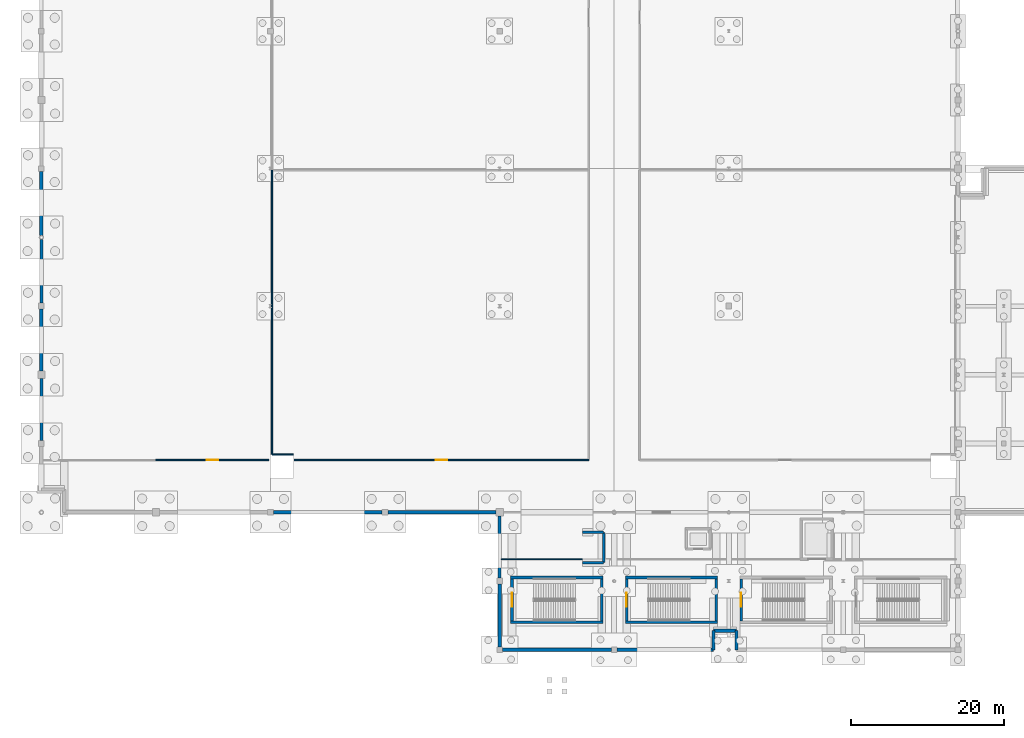
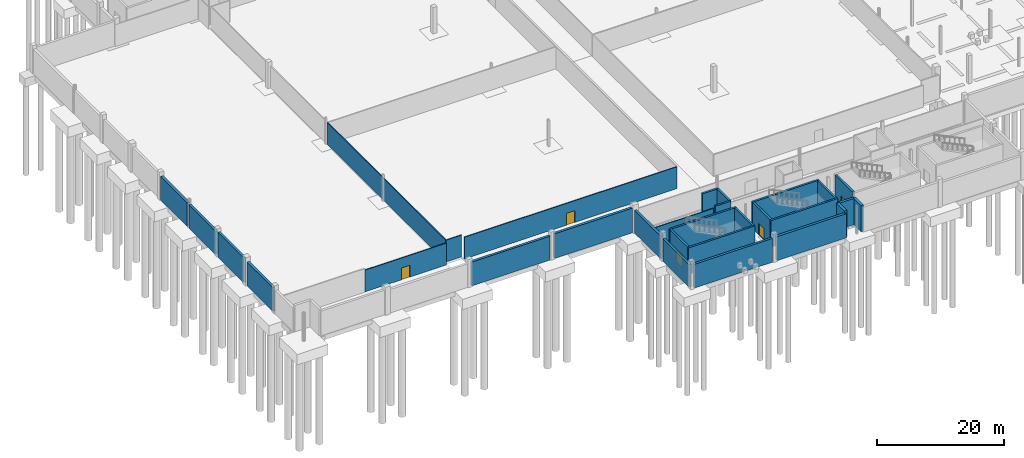
# One storey, part 38 of 58: 30 walls, 5 doors, 5 openings.
"""IFC4 building model written with IfcOpenShell, lengths in metres."""

from ifc_helpers import new_model, si_unit, direction, frame, frame_2d, origin, place, context, subcontext, project, spatial, rectangle, extrude, material, layer, layer_set, type_object, element, fill, save


model = new_model("IFC4")

# Units and contexts
model_context = context("Model", 3, precision=1e-05, world=origin(), true_north=direction((0.0, 1.0)))
body_context = subcontext(model_context, "Body", "Model", "MODEL_VIEW")
ifc_project = project(units=[si_unit("LENGTHUNIT", "METRE"), si_unit("AREAUNIT", "SQUARE_METRE"), si_unit("VOLUMEUNIT", "CUBIC_METRE"), si_unit("PLANEANGLEUNIT", "RADIAN"), si_unit("MASSUNIT", "GRAM", prefix="KILO")], contexts=[model_context])

# Site, building, storey
site_placement = place(None, origin())
site = spatial("IfcSite", under=ifc_project, at=site_placement, CompositionType="ELEMENT")
building_placement = place(site_placement, origin())
building = spatial("IfcBuilding", under=site, at=building_placement, Name="Qamarlyn Nura Convention Centre", CompositionType="ELEMENT")
storey_placement = place(building_placement, frame((0.0, 0.0, -5.39990234375)))
storey = spatial("IfcBuildingStorey", under=building, at=storey_placement, Name="B01", CompositionType="ELEMENT", Elevation=-5.39990234375)

# Walls
ifc_material_1 = material(Name="Concrete C50/60", Category="concrete")
ifc_layer_1 = layer(ifc_material_1, 0.35009765625, Name="WT-CORE-350")
ifc_layer_set_1 = layer_set([ifc_layer_1], Name="Concrete C50/60")
wall_type_1 = type_object("IfcWallType", Name="WT-CORE-350", PredefinedType="SHEAR", material=ifc_layer_set_1)
for number, where, z_axis, x_axis, name in (
    (1, (61.449951171875, 3.625, 0.0), (0.0, 0.0, 1.0), (1.0, 0.0, 0.0), "B01 stair core shear wall ST-05-S"),
    (2, (73.550048828125, 9.47509765625, 0.0), (0.0, 0.0, 1.0), (-1.0, 0.0, 0.0), "B01 stair core shear wall ST-05-N"),
):
    element("IfcWall", number, at=place(storey_placement, frame(where, z_axis=z_axis, x_axis=x_axis)), inside=storey, type_object=wall_type_1, Name=name, PredefinedType="SHEAR", context=body_context, shape_type="SweptSolid", body=[
        extrude(rectangle(XDim=12.10009765625, YDim=0.35009765625, at=frame_2d((6.050048828125, 0.0))), origin(), (0.0, 0.0, 1.0), 5.099853515625),
    ])

# Wall, opening, door
wall_1_placement = place(storey_placement, frame((61.625, 9.300048828125, 0.0), z_axis=(0.0, 0.0, 1.0), x_axis=(0.0, -1.0, 0.0)))
wall_1 = element("IfcWall", 3, at=wall_1_placement, inside=storey, type_object=wall_type_1, Name="B01 stair core shear wall ST-05-W", PredefinedType="SHEAR", context=body_context, shape_type="SweptSolid", body=[
    extrude(rectangle(XDim=5.5, YDim=0.35009765625, at=frame_2d((2.75, 0.0))), origin(), (0.0, 0.0, 1.0), 5.099853515625),
])
opening_1_placement = place(wall_1_placement, frame((1.85009765625, 0.0, 0.0)))
opening_1 = element("IfcOpeningElement", 4, at=opening_1_placement, cuts=wall_1, Name="Opening DS-013", PredefinedType="OPENING", context=body_context, shape_type="SweptSolid", body=[
    extrude(rectangle(XDim=1.800048828125, YDim=2.199951171875, at=frame_2d((0.89990234375, 1.10009765625))), frame((0.0, 0.18505859375, 0.0), z_axis=(0.0, -1.0, 0.0), x_axis=(1.0, 0.0, 0.0)), (0.0, 0.0, 1.0), 0.3701171875),
])
ifc_material_2 = material(Name="Galvanised fire-rated hollow steel door", Category="steel")
door_type_1 = type_object("IfcDoorType", Name="DR-STAIR-1800", OperationType="DOUBLE_DOOR_SINGLE_SWING", PredefinedType="DOOR", material=ifc_material_2)
door_1_placement = place(opening_1_placement, origin())
door_1 = element("IfcDoor", 5, at=door_1_placement, inside=storey, type_object=door_type_1, Name="B01 exit stair door ST-05 (DS-013)", OperationType="DOUBLE_DOOR_SINGLE_SWING", OverallHeight=2.199951171875, OverallWidth=1.800048828125, PredefinedType="DOOR", context=body_context, shape_type="SweptSolid", body=[
    extrude(rectangle(XDim=1.800048828125, YDim=2.199951171875, at=frame_2d((0.89990234375, 1.10009765625))), frame((0.0, 0.02490234375, 0.0), z_axis=(0.0, -1.0, 0.0), x_axis=(1.0, 0.0, 0.0)), (0.0, 0.0, 1.0), 0.050048828125),
])
fill(opening_1, door_1)

# Walls
wall_2_placement = place(storey_placement, frame((73.375, 3.800048828125, 0.0), z_axis=(0.0, 0.0, 1.0), x_axis=(0.0, 1.0, 0.0)))
element("IfcWall", 6, at=wall_2_placement, inside=storey, type_object=wall_type_1, Name="B01 stair core shear wall ST-05-E", PredefinedType="SHEAR", context=body_context, shape_type="SweptSolid", body=[
    extrude(rectangle(XDim=5.5, YDim=0.35009765625, at=frame_2d((2.75, 0.0))), origin(), (0.0, 0.0, 1.0), 5.099853515625),
])
for number, where, z_axis, x_axis, name in (
    (7, (76.449951171875, 3.625, 0.0), (0.0, 0.0, 1.0), (1.0, 0.0, 0.0), "B01 stair core shear wall ST-06-S"),
    (8, (88.550048828125, 9.47509765625, 0.0), (0.0, 0.0, 1.0), (-1.0, 0.0, 0.0), "B01 stair core shear wall ST-06-N"),
):
    element("IfcWall", number, at=place(storey_placement, frame(where, z_axis=z_axis, x_axis=x_axis)), inside=storey, type_object=wall_type_1, Name=name, PredefinedType="SHEAR", context=body_context, shape_type="SweptSolid", body=[
        extrude(rectangle(XDim=12.10009765625, YDim=0.35009765625, at=frame_2d((6.050048828125, 0.0))), origin(), (0.0, 0.0, 1.0), 5.099853515625),
    ])

# Wall, opening, door
wall_3_placement = place(storey_placement, frame((76.625, 9.300048828125, 0.0), z_axis=(0.0, 0.0, 1.0), x_axis=(0.0, -1.0, 0.0)))
wall_3 = element("IfcWall", 9, at=wall_3_placement, inside=storey, type_object=wall_type_1, Name="B01 stair core shear wall ST-06-W", PredefinedType="SHEAR", context=body_context, shape_type="SweptSolid", body=[
    extrude(rectangle(XDim=5.5, YDim=0.35009765625, at=frame_2d((2.75, 0.0))), origin(), (0.0, 0.0, 1.0), 5.099853515625),
])
opening_2_placement = place(wall_3_placement, frame((1.85009765625, 0.0, 0.0)))
opening_2 = element("IfcOpeningElement", 10, at=opening_2_placement, cuts=wall_3, Name="Opening DS-017", PredefinedType="OPENING", context=body_context, shape_type="SweptSolid", body=[
    extrude(rectangle(XDim=1.800048828125, YDim=2.199951171875, at=frame_2d((0.89990234375, 1.10009765625))), frame((0.0, 0.18505859375, 0.0), z_axis=(0.0, -1.0, 0.0), x_axis=(1.0, 0.0, 0.0)), (0.0, 0.0, 1.0), 0.3701171875),
])
door_2_placement = place(opening_2_placement, origin())
door_2 = element("IfcDoor", 11, at=door_2_placement, inside=storey, type_object=door_type_1, Name="B01 exit stair door ST-06 (DS-017)", OperationType="DOUBLE_DOOR_SINGLE_SWING", OverallHeight=2.199951171875, OverallWidth=1.800048828125, PredefinedType="DOOR", context=body_context, shape_type="SweptSolid", body=[
    extrude(rectangle(XDim=1.800048828125, YDim=2.199951171875, at=frame_2d((0.89990234375, 1.10009765625))), frame((0.0, 0.02490234375, 0.0), z_axis=(0.0, -1.0, 0.0), x_axis=(1.0, 0.0, 0.0)), (0.0, 0.0, 1.0), 0.050048828125),
])
fill(opening_2, door_2)

# Wall
wall_4_placement = place(storey_placement, frame((88.375, 3.800048828125, 0.0), z_axis=(0.0, 0.0, 1.0), x_axis=(0.0, 1.0, 0.0)))
element("IfcWall", 12, at=wall_4_placement, inside=storey, type_object=wall_type_1, Name="B01 stair core shear wall ST-06-E", PredefinedType="SHEAR", context=body_context, shape_type="SweptSolid", body=[
    extrude(rectangle(XDim=5.5, YDim=0.35009765625, at=frame_2d((2.75, 0.0))), origin(), (0.0, 0.0, 1.0), 5.099853515625),
])

# Wall, opening, door
wall_5_placement = place(storey_placement, frame((91.625, 9.300048828125, 0.0), z_axis=(0.0, 0.0, 1.0), x_axis=(0.0, -1.0, 0.0)))
wall_5 = element("IfcWall", 13, at=wall_5_placement, inside=storey, type_object=wall_type_1, Name="B01 stair core shear wall ST-07-W", PredefinedType="SHEAR", context=body_context, shape_type="SweptSolid", body=[
    extrude(rectangle(XDim=5.5, YDim=0.35009765625, at=frame_2d((2.75, 0.0))), origin(), (0.0, 0.0, 1.0), 5.099853515625),
])
opening_3_placement = place(wall_5_placement, frame((1.85009765625, 0.0, 0.0)))
opening_3 = element("IfcOpeningElement", 14, at=opening_3_placement, cuts=wall_5, Name="Opening DS-021", PredefinedType="OPENING", context=body_context, shape_type="SweptSolid", body=[
    extrude(rectangle(XDim=1.800048828125, YDim=2.199951171875, at=frame_2d((0.89990234375, 1.10009765625))), frame((0.0, 0.18505859375, 0.0), z_axis=(0.0, -1.0, 0.0), x_axis=(1.0, 0.0, 0.0)), (0.0, 0.0, 1.0), 0.3701171875),
])
door_3_placement = place(opening_3_placement, origin())
door_3 = element("IfcDoor", 15, at=door_3_placement, inside=storey, type_object=door_type_1, Name="B01 exit stair door ST-07 (DS-021)", OperationType="DOUBLE_DOOR_SINGLE_SWING", OverallHeight=2.199951171875, OverallWidth=1.800048828125, PredefinedType="DOOR", context=body_context, shape_type="SweptSolid", body=[
    extrude(rectangle(XDim=1.800048828125, YDim=2.199951171875, at=frame_2d((0.89990234375, 1.10009765625))), frame((0.0, 0.02490234375, 0.0), z_axis=(0.0, -1.0, 0.0), x_axis=(1.0, 0.0, 0.0)), (0.0, 0.0, 1.0), 0.050048828125),
])
fill(opening_3, door_3)

# Walls
for number, where, z_axis, x_axis, name in (
    (16, (70.820068359375, 11.39990234375, 0.0), (0.0, 0.0, 1.0), (1.0, 0.0, 0.0), "B01 feature stair support fin wall ST-19-1"),
    (17, (70.820068359375, 15.3798828125, 0.0), (0.0, 0.0, 1.0), (1.0, 0.0, 0.0), "B01 feature stair support fin wall ST-19-2"),
):
    element("IfcWall", number, at=place(storey_placement, frame(where, z_axis=z_axis, x_axis=x_axis)), inside=storey, type_object=wall_type_1, Name=name, PredefinedType="SHEAR", context=body_context, shape_type="SweptSolid", body=[
        extrude(rectangle(XDim=2.800048828125, YDim=0.35009765625, at=frame_2d((1.39990234375, 0.0))), origin(), (0.0, 0.0, 1.0), 5.099853515625),
    ])
wall_6_placement = place(storey_placement, frame((73.6201171875, 11.39990234375, 0.0), z_axis=(0.0, 0.0, 1.0), x_axis=(0.0, 1.0, 0.0)))
element("IfcWall", 18, at=wall_6_placement, inside=storey, type_object=wall_type_1, Name="B01 feature stair support fin wall ST-19-3", PredefinedType="SHEAR", context=body_context, shape_type="SweptSolid", body=[
    extrude(rectangle(XDim=3.97998046875, YDim=0.35009765625, at=frame_2d((1.989990234375, 0.0))), origin(), (0.0, 0.0, 1.0), 5.099853515625),
])
ifc_material_3 = material(Name="Fire-rated acoustic gypsum board EI 60")
ifc_layer_2 = layer(ifc_material_3, 0.159912109375, Name="WT-PART-160")
ifc_layer_set_2 = layer_set([ifc_layer_2], Name="Fire-rated acoustic gypsum board EI 60")
wall_type_2 = type_object("IfcWallType", Name="WT-PART-160", PredefinedType="PARTITIONING", material=ifc_layer_set_2)
wall_7_placement = place(storey_placement, frame((70.820068359375, 11.840087890625, 0.0), z_axis=(0.0, 0.0, 1.0), x_axis=(-1.0, 0.0, 0.0)))
element("IfcWall", 19, at=wall_7_placement, inside=storey, type_object=wall_type_2, Name="B01 interior partition B01-STR-SOUTH-53-2", PredefinedType="PARTITIONING", context=body_context, shape_type="SweptSolid", body=[
    extrude(rectangle(XDim=10.610107421875, YDim=0.159912109375, at=frame_2d((5.30517578125, 0.0))), origin(), (0.0, 0.0, 1.0), 4.389892578125),
])

# Wall, opening, door
wall_8_placement = place(storey_placement, frame((71.659912109375, 24.840087890625, 0.0), z_axis=(0.0, 0.0, 1.0), x_axis=(-1.0, 0.0, 0.0)))
wall_8 = element("IfcWall", 20, at=wall_8_placement, inside=storey, type_object=wall_type_2, Name="B01 interior partition B01-STR-BLK1-2-1", PredefinedType="PARTITIONING", context=body_context, shape_type="SweptSolid", body=[
    extrude(rectangle(XDim=38.579833984375, YDim=0.159912109375, at=frame_2d((19.2900390625, 0.0))), origin(), (0.0, 0.0, 1.0), 4.179931640625),
])
opening_4_placement = place(wall_8_placement, frame((18.5400390625, 0.0, 0.0)))
opening_4 = element("IfcOpeningElement", 21, at=opening_4_placement, cuts=wall_8, Name="Opening D-B01-136", PredefinedType="OPENING", context=body_context, shape_type="SweptSolid", body=[
    extrude(rectangle(XDim=1.5, YDim=2.25, at=frame_2d((0.75, 1.125))), frame((0.0, 0.08984375, 0.0), z_axis=(0.0, -1.0, 0.0), x_axis=(1.0, 0.0, 0.0)), (0.0, 0.0, 1.0), 0.179931640625),
])
door_type_2 = type_object("IfcDoorType", Name="DR-PLANT-1500", OperationType="DOUBLE_DOOR_SINGLE_SWING", PredefinedType="DOOR", material=ifc_material_2)
door_4_placement = place(opening_4_placement, origin())
door_4 = element("IfcDoor", 22, at=door_4_placement, inside=storey, type_object=door_type_2, Name="B01 Bulk Convention Storage West door D-B01-136", OperationType="DOUBLE_DOOR_SINGLE_SWING", OverallHeight=2.25, OverallWidth=1.5, PredefinedType="DOOR", context=body_context, shape_type="SweptSolid", body=[
    extrude(rectangle(XDim=1.5, YDim=2.25, at=frame_2d((0.75, 1.125))), frame((0.0, 0.02490234375, 0.0), z_axis=(0.0, -1.0, 0.0), x_axis=(1.0, 0.0, 0.0)), (0.0, 0.0, 1.0), 0.050048828125),
])
fill(opening_4, door_4)

# Walls
wall_9_placement = place(storey_placement, frame((33.0, 25.580078125, 0.0), z_axis=(0.0, 0.0, 1.0), x_axis=(-1.0, 0.0, 0.0)))
element("IfcWall", 23, at=wall_9_placement, inside=storey, type_object=wall_type_2, Name="B01 interior partition B01-STR-BLK1-20-1", PredefinedType="PARTITIONING", context=body_context, shape_type="SweptSolid", body=[
    extrude(rectangle(XDim=2.800048828125, YDim=0.159912109375, at=frame_2d((1.39990234375, 0.0))), origin(), (0.0, 0.0, 1.0), 4.179931640625),
])
wall_10_placement = place(storey_placement, frame((30.199951171875, 25.580078125, 0.0), z_axis=(0.0, 0.0, 1.0), x_axis=(0.0, 1.0, 0.0)))
element("IfcWall", 24, at=wall_10_placement, inside=storey, type_object=wall_type_2, Name="B01 interior partition B01-STR-BLK1-21-1", PredefinedType="PARTITIONING", context=body_context, shape_type="SweptSolid", body=[
    extrude(rectangle(XDim=37.219970703125, YDim=0.159912109375, at=frame_2d((18.60986328125, 0.0))), origin(), (0.0, 0.0, 1.0), 4.179931640625),
])

# Wall, opening, door
wall_11_placement = place(storey_placement, frame((29.800048828125, 24.840087890625, 0.0), z_axis=(0.0, 0.0, 1.0), x_axis=(-1.0, 0.0, 0.0)))
wall_11 = element("IfcWall", 25, at=wall_11_placement, inside=storey, type_object=wall_type_2, Name="B01 interior partition B01-STR-BLK0-3-1", PredefinedType="PARTITIONING", context=body_context, shape_type="SweptSolid", body=[
    extrude(rectangle(XDim=14.800048828125, YDim=0.159912109375, at=frame_2d((7.39990234375, 0.0))), origin(), (0.0, 0.0, 1.0), 4.179931640625),
])
opening_5_placement = place(wall_11_placement, frame((6.64990234375, 0.0, 0.0)))
opening_5 = element("IfcOpeningElement", 26, at=opening_5_placement, cuts=wall_11, Name="Opening D-B01-139", PredefinedType="OPENING", context=body_context, shape_type="SweptSolid", body=[
    extrude(rectangle(XDim=1.5, YDim=2.25, at=frame_2d((0.75, 1.125))), frame((0.0, 0.08984375, 0.0), z_axis=(0.0, -1.0, 0.0), x_axis=(1.0, 0.0, 0.0)), (0.0, 0.0, 1.0), 0.179931640625),
])
door_5_placement = place(opening_5_placement, origin())
door_5 = element("IfcDoor", 27, at=door_5_placement, inside=storey, type_object=door_type_2, Name="B01 West Substructure Logistics Vault door D-B01-139", OperationType="DOUBLE_DOOR_SINGLE_SWING", OverallHeight=2.25, OverallWidth=1.5, PredefinedType="DOOR", context=body_context, shape_type="SweptSolid", body=[
    extrude(rectangle(XDim=1.5, YDim=2.25, at=frame_2d((0.75, 1.125))), frame((0.0, 0.02490234375, 0.0), z_axis=(0.0, -1.0, 0.0), x_axis=(1.0, 0.0, 0.0)), (0.0, 0.0, 1.0), 0.050048828125),
])
fill(opening_5, door_5)

# Walls
ifc_material_4 = material(Name="Concrete C40/50", Category="concrete")
ifc_layer_3 = layer(ifc_material_4, 0.419921875, Name="WT-RET-420")
ifc_layer_set_3 = layer_set([ifc_layer_3], Name="Concrete C40/50")
wall_type_3 = type_object("IfcWallType", Name="WT-RET-420", PredefinedType="USERDEFINED", material=ifc_layer_set_3)
wall_12_placement = place(storey_placement, frame((0.0, 27.375, 0.0), z_axis=(0.0, 0.0, 1.0), x_axis=(0.0, 1.0, 0.0)))
element("IfcWall", 28, at=wall_12_placement, inside=storey, type_object=wall_type_3, Name="B01 perimeter retaining wall 04", ObjectType="RETAININGWALL", PredefinedType="USERDEFINED", context=body_context, shape_type="SweptSolid", body=[
    extrude(rectangle(XDim=8.14990234375, YDim=0.419921875, at=frame_2d((4.074951171875, 0.0))), origin(), (0.0, 0.0, 1.0), 4.56884765625),
])
wall_13_placement = place(storey_placement, frame((0.0, 45.375, 0.0), z_axis=(0.0, 0.0, 1.0), x_axis=(0.0, 1.0, 0.0)))
element("IfcWall", 29, at=wall_13_placement, inside=storey, type_object=wall_type_3, Name="B01 perimeter retaining wall 06", ObjectType="RETAININGWALL", PredefinedType="USERDEFINED", context=body_context, shape_type="SweptSolid", body=[
    extrude(rectangle(XDim=8.37109375, YDim=0.419921875, at=frame_2d((4.185546875, 0.0))), origin(), (0.0, 0.0, 1.0), 4.495849609375),
])
for number, where, z_axis, x_axis, name in (
    (30, (91.0, 0.0, 0.0), (0.0, 0.0, 1.0), (0.0, 1.0, 0.0), "B01 perimeter retaining wall 94"),
    (31, (88.0, 2.5, 0.0), (0.0, 0.0, 1.0), (0.0, -1.0, 0.0), "B01 perimeter retaining wall 96"),
):
    element("IfcWall", number, at=place(storey_placement, frame(where, z_axis=z_axis, x_axis=x_axis)), inside=storey, type_object=wall_type_3, Name=name, ObjectType="RETAININGWALL", PredefinedType="USERDEFINED", context=body_context, shape_type="SweptSolid", body=[
        extrude(rectangle(XDim=2.5, YDim=0.419921875, at=frame_2d((1.25, 0.0))), origin(), (0.0, 0.0, 1.0), 5.0498046875),
    ])
wall_14_placement = place(storey_placement, frame((74.625, 0.0, 0.0), z_axis=(0.0, 0.0, 1.0), x_axis=(-1.0, 0.0, 0.0)))
element("IfcWall", 32, at=wall_14_placement, inside=storey, type_object=wall_type_3, Name="B01 perimeter retaining wall 98", ObjectType="RETAININGWALL", PredefinedType="USERDEFINED", context=body_context, shape_type="SweptSolid", body=[
    extrude(rectangle(XDim=14.25, YDim=0.419921875, at=frame_2d((7.125, 0.0))), origin(), (0.0, 0.0, 1.0), 4.5458984375),
])
wall_15_placement = place(storey_placement, frame((60.0, 9.375, 0.0), z_axis=(0.0, 0.0, 1.0), x_axis=(0.0, 1.0, 0.0)))
element("IfcWall", 33, at=wall_15_placement, inside=storey, type_object=wall_type_3, Name="B01 perimeter retaining wall 100", ObjectType="RETAININGWALL", PredefinedType="USERDEFINED", context=body_context, shape_type="SweptSolid", body=[
    extrude(rectangle(XDim=8.14990234375, YDim=0.419921875, at=frame_2d((4.074951171875, 0.0))), origin(), (0.0, 0.0, 1.0), 4.389892578125),
])
wall_16_placement = place(storey_placement, frame((44.625, 18.0, 0.0), z_axis=(0.0, 0.0, 1.0), x_axis=(-1.0, 0.0, 0.0)))
element("IfcWall", 34, at=wall_16_placement, inside=storey, type_object=wall_type_3, Name="B01 perimeter retaining wall 102", ObjectType="RETAININGWALL", PredefinedType="USERDEFINED", context=body_context, shape_type="SweptSolid", body=[
    extrude(rectangle(XDim=14.25, YDim=0.419921875, at=frame_2d((7.125, 0.0))), origin(), (0.0, 0.0, 1.0), 4.56884765625),
])
ifc_layer_4 = layer(ifc_material_4, 0.449951171875, Name="WT-RET-450")
ifc_layer_set_4 = layer_set([ifc_layer_4], Name="Concrete C40/50")
wall_type_4 = type_object("IfcWallType", Name="WT-RET-450", PredefinedType="USERDEFINED", material=ifc_layer_set_4)
wall_17_placement = place(storey_placement, frame((0.0, 36.47509765625, 0.0), z_axis=(0.0, 0.0, 1.0), x_axis=(0.0, 1.0, 0.0)))
element("IfcWall", 35, at=wall_17_placement, inside=storey, type_object=wall_type_4, Name="B01 perimeter retaining wall 05", ObjectType="RETAININGWALL", PredefinedType="USERDEFINED", context=body_context, shape_type="SweptSolid", body=[
    extrude(rectangle(XDim=8.14990234375, YDim=0.449951171875, at=frame_2d((4.074951171875, 0.0))), origin(), (0.0, 0.0, 1.0), 4.73486328125),
])
wall_18_placement = place(storey_placement, frame((0.0, 54.25390625, 0.0), z_axis=(0.0, 0.0, 1.0), x_axis=(0.0, 1.0, 0.0)))
element("IfcWall", 36, at=wall_18_placement, inside=storey, type_object=wall_type_4, Name="B01 perimeter retaining wall 07", ObjectType="RETAININGWALL", PredefinedType="USERDEFINED", context=body_context, shape_type="SweptSolid", body=[
    extrude(rectangle(XDim=8.37109375, YDim=0.449951171875, at=frame_2d((4.185546875, 0.0))), origin(), (0.0, 0.0, 1.0), 4.56884765625),
])
wall_19_placement = place(storey_placement, frame((91.0, 2.5, 0.0), z_axis=(0.0, 0.0, 1.0), x_axis=(-1.0, 0.0, 0.0)))
element("IfcWall", 37, at=wall_19_placement, inside=storey, type_object=wall_type_4, Name="B01 perimeter retaining wall 95", ObjectType="RETAININGWALL", PredefinedType="USERDEFINED", context=body_context, shape_type="SweptSolid", body=[
    extrude(rectangle(XDim=3.0, YDim=0.449951171875, at=frame_2d((1.5, 0.0))), origin(), (0.0, 0.0, 1.0), 5.0498046875),
])
wall_20_placement = place(storey_placement, frame((88.0, 0.0, 0.0), z_axis=(0.0, 0.0, 1.0), x_axis=(-1.0, 0.0, 0.0)))
element("IfcWall", 38, at=wall_20_placement, inside=storey, type_object=wall_type_4, Name="B01 perimeter retaining wall 97", ObjectType="RETAININGWALL", PredefinedType="USERDEFINED", context=body_context, shape_type="SweptSolid", body=[
    extrude(rectangle(XDim=12.625, YDim=0.449951171875, at=frame_2d((6.3125, 0.0))), origin(), (0.0, 0.0, 1.0), 4.618896484375),
])
wall_21_placement = place(storey_placement, frame((60.0, 0.375, 0.0), z_axis=(0.0, 0.0, 1.0), x_axis=(0.0, 1.0, 0.0)))
element("IfcWall", 39, at=wall_21_placement, inside=storey, type_object=wall_type_4, Name="B01 perimeter retaining wall 99", ObjectType="RETAININGWALL", PredefinedType="USERDEFINED", context=body_context, shape_type="SweptSolid", body=[
    extrude(rectangle(XDim=8.25, YDim=0.449951171875, at=frame_2d((4.125, 0.0))), origin(), (0.0, 0.0, 1.0), 4.31201171875),
])
wall_22_placement = place(storey_placement, frame((59.52490234375, 18.0, 0.0), z_axis=(0.0, 0.0, 1.0), x_axis=(-1.0, 0.0, 0.0)))
element("IfcWall", 40, at=wall_22_placement, inside=storey, type_object=wall_type_4, Name="B01 perimeter retaining wall 101", ObjectType="RETAININGWALL", PredefinedType="USERDEFINED", context=body_context, shape_type="SweptSolid", body=[
    extrude(rectangle(XDim=14.14990234375, YDim=0.449951171875, at=frame_2d((7.074951171875, 0.0))), origin(), (0.0, 0.0, 1.0), 4.73486328125),
])

save(model, "model.ifc")
